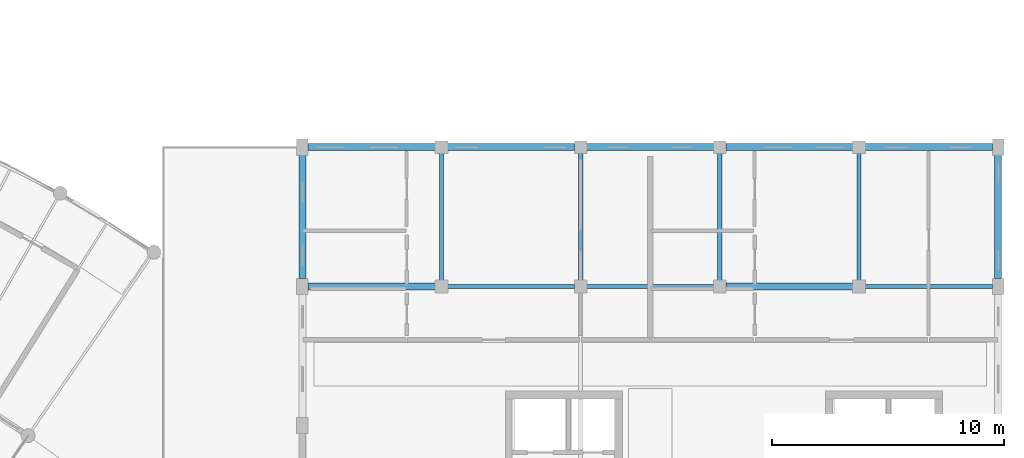
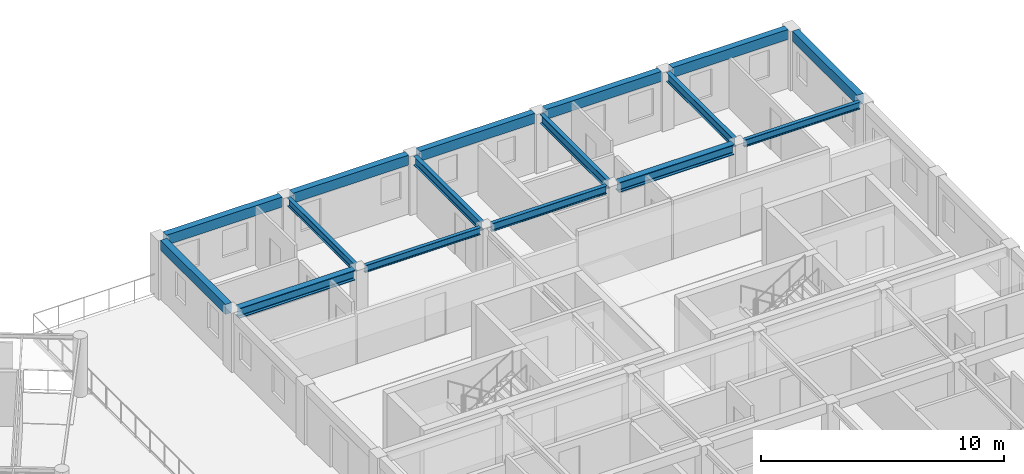
# One storey, part 41 of 101: 16 beams.
"""IFC4 building model written with IfcOpenShell, lengths in metres."""

from ifc_helpers import new_model, si_unit, direction, frame, origin, origin_2d, place, context, subcontext, project, spatial, rectangle, i_section, extrude, material, material_profile, profile_set, type_object, element, save


model = new_model("IFC4")

# Units and contexts
model_context = context("Model", 3, precision=1e-05, world=origin(), true_north=direction((0.0, 1.0)))
body_context = subcontext(model_context, "Body", "Model", "MODEL_VIEW")
ifc_project = project(units=[si_unit("LENGTHUNIT", "METRE"), si_unit("AREAUNIT", "SQUARE_METRE"), si_unit("VOLUMEUNIT", "CUBIC_METRE"), si_unit("PLANEANGLEUNIT", "RADIAN"), si_unit("MASSUNIT", "GRAM", prefix="KILO"), si_unit("POWERUNIT", "WATT"), si_unit("THERMODYNAMICTEMPERATUREUNIT", "KELVIN")], contexts=[model_context])

# Site, building, storey
site_placement = place(None, origin())
site = spatial("IfcSite", under=ifc_project, at=site_placement, CompositionType="ELEMENT")
building_placement = place(site_placement, origin())
building = spatial("IfcBuilding", under=site, at=building_placement, Name="Ruvembo Vaulted Housing Court", CompositionType="ELEMENT")
storey_placement = place(building_placement, frame((0.0, 0.0, 17.300048828125)))
storey = spatial("IfcBuildingStorey", under=building, at=storey_placement, Name="L05", CompositionType="ELEMENT", Elevation=17.300048828125)

# Beams
ifc_material_1 = material(Name="Steel S355J2", Category="steel")
ifc_material_profile_1 = material_profile(ifc_material_1, i_section(OverallWidth=0.300048828125, OverallDepth=0.5, WebThickness=0.014404296875, FlangeThickness=0.028076171875, FilletRadius=0.027099609375, at=origin_2d()), Name="HEB 320")
ifc_profile_set_1 = profile_set([ifc_material_profile_1], Name="Steel S355J2")
beam_type_1 = type_object("IfcBeamType", Name="BM-ST-HEB320", PredefinedType="BEAM", material=ifc_profile_set_1)
beam_1_placement = place(storey_placement, frame((156.235107421875, 96.0, 2.676025390625), z_axis=(1.0, 0.0, 0.0), x_axis=(0.0, 1.0, 0.0)))
element("IfcBeam", 1, at=beam_1_placement, inside=storey, type_object=beam_type_1, Name="L05 Grid Beam X #2393", PredefinedType="BEAM", context=body_context, shape_type="SweptSolid", body=[
    extrude(i_section(OverallWidth=0.300048828125, OverallDepth=0.5, WebThickness=0.014404296875, FlangeThickness=0.028076171875, FilletRadius=0.027099609375, at=origin_2d()), origin(), (0.0, 0.0, 1.0), 5.5048828125),
])
beam_2_placement = place(storey_placement, frame((174.260009765625, 96.0, 2.676025390625), z_axis=(1.0, 0.0, 0.0), x_axis=(0.0, 1.0, 0.0)))
element("IfcBeam", 2, at=beam_2_placement, inside=storey, type_object=beam_type_1, Name="L05 Grid Beam X #2396", PredefinedType="BEAM", context=body_context, shape_type="SweptSolid", body=[
    extrude(i_section(OverallWidth=0.300048828125, OverallDepth=0.5, WebThickness=0.014404296875, FlangeThickness=0.028076171875, FilletRadius=0.027099609375, at=origin_2d()), origin(), (0.0, 0.0, 1.0), 5.47998046875),
])
ifc_material_profile_2 = material_profile(ifc_material_1, i_section(OverallWidth=0.169921875, OverallDepth=0.360107421875, WebThickness=0.008056640625, FlangeThickness=0.0126953125, FilletRadius=0.01806640625, at=origin_2d()), Name="IPE 360")
ifc_profile_set_2 = profile_set([ifc_material_profile_2], Name="Steel S355J2")
beam_type_2 = type_object("IfcBeamType", Name="BM-ST-IPE360", PredefinedType="BEAM", material=ifc_profile_set_2)
beam_3_placement = place(storey_placement, frame((162.260009765625, 96.0, 2.745849609375), z_axis=(1.0, 0.0, 0.0), x_axis=(0.0, 1.0, 0.0)))
element("IfcBeam", 3, at=beam_3_placement, inside=storey, type_object=beam_type_2, Name="L05 Grid Beam X #2394", PredefinedType="BEAM", context=body_context, shape_type="SweptSolid", body=[
    extrude(i_section(OverallWidth=0.169921875, OverallDepth=0.360107421875, WebThickness=0.008056640625, FlangeThickness=0.0126953125, FilletRadius=0.01806640625, at=origin_2d()), origin(), (0.0, 0.0, 1.0), 5.47998046875),
])
beam_4_placement = place(storey_placement, frame((180.260009765625, 96.0, 2.745849609375), z_axis=(1.0, 0.0, 0.0), x_axis=(0.0, 1.0, 0.0)))
element("IfcBeam", 4, at=beam_4_placement, inside=storey, type_object=beam_type_2, Name="L05 Grid Beam X #2397", PredefinedType="BEAM", context=body_context, shape_type="SweptSolid", body=[
    extrude(i_section(OverallWidth=0.169921875, OverallDepth=0.360107421875, WebThickness=0.008056640625, FlangeThickness=0.0126953125, FilletRadius=0.01806640625, at=origin_2d()), origin(), (0.0, 0.0, 1.0), 5.5048828125),
])
ifc_material_profile_3 = material_profile(ifc_material_1, i_section(OverallWidth=0.179931640625, OverallDepth=0.39990234375, WebThickness=0.008544921875, FlangeThickness=0.013427734375, FilletRadius=0.02099609375, at=origin_2d()), Name="IPE 400")
ifc_profile_set_3 = profile_set([ifc_material_profile_3], Name="Steel S355J2")
beam_type_3 = type_object("IfcBeamType", Name="BM-ST-IPE400", PredefinedType="BEAM", material=ifc_profile_set_3)
for number, where, z_axis, x_axis, name in (
    (5, (168.260009765625, 96.0, 2.725830078125), (1.0, 0.0, 0.0), (0.0, 1.0, 0.0), "L05 Grid Beam X #2395"),
    (6, (162.0, 96.260009765625, 2.725830078125), (0.0, 1.0, 0.0), (-1.0, 0.0, 0.0), "L05 Grid Beam Y #2533"),
):
    element("IfcBeam", number, at=place(storey_placement, frame(where, z_axis=z_axis, x_axis=x_axis)), inside=storey, type_object=beam_type_3, Name=name, PredefinedType="BEAM", context=body_context, shape_type="SweptSolid", body=[
        extrude(i_section(OverallWidth=0.179931640625, OverallDepth=0.39990234375, WebThickness=0.008544921875, FlangeThickness=0.013427734375, FilletRadius=0.02099609375, at=origin_2d()), origin(), (0.0, 0.0, 1.0), 5.47998046875),
    ])
ifc_material_profile_4 = material_profile(ifc_material_1, i_section(OverallWidth=0.18994140625, OverallDepth=0.449951171875, WebThickness=0.009521484375, FlangeThickness=0.0146484375, FilletRadius=0.02099609375, at=origin_2d()), Name="IPE 450")
ifc_profile_set_4 = profile_set([ifc_material_profile_4], Name="Steel S355J2")
beam_type_4 = type_object("IfcBeamType", Name="BM-ST-IPE450", PredefinedType="BEAM", material=ifc_profile_set_4)
for number, where, z_axis, x_axis, name in (
    (7, (168.0, 96.260009765625, 2.700927734375), (0.0, 1.0, 0.0), (-1.0, 0.0, 0.0), "L05 Grid Beam Y #2537"),
    (8, (174.0, 96.260009765625, 2.700927734375), (0.0, 1.0, 0.0), (-1.0, 0.0, 0.0), "L05 Grid Beam Y #2540"),
    (9, (180.0, 96.260009765625, 2.700927734375), (0.0, 1.0, 0.0), (-1.0, 0.0, 0.0), "L05 Grid Beam Y #2543"),
):
    element("IfcBeam", number, at=place(storey_placement, frame(where, z_axis=z_axis, x_axis=x_axis)), inside=storey, type_object=beam_type_4, Name=name, PredefinedType="BEAM", context=body_context, shape_type="SweptSolid", body=[
        extrude(i_section(OverallWidth=0.18994140625, OverallDepth=0.449951171875, WebThickness=0.009521484375, FlangeThickness=0.0146484375, FilletRadius=0.02099609375, at=origin_2d()), origin(), (0.0, 0.0, 1.0), 5.47998046875),
    ])
ifc_material_2 = material(Name="Concrete C35/45", Category="concrete")
ifc_material_profile_5 = material_profile(ifc_material_2, rectangle(XDim=0.300048828125, YDim=0.5, at=origin_2d()), Name="RC 300x500")
ifc_profile_set_5 = profile_set([ifc_material_profile_5], Name="Concrete C35/45")
beam_type_5 = type_object("IfcBeamType", Name="SP-RC-300x500", PredefinedType="SPANDREL", material=ifc_profile_set_5)
beam_5_placement = place(storey_placement, frame((156.235107421875, 102.0, 2.71484375), z_axis=(1.0, 0.0, 0.0), x_axis=(0.0, 1.0, 0.0)))
element("IfcBeam", 10, at=beam_5_placement, inside=storey, type_object=beam_type_5, Name="L05 Grid Beam X #2404", PredefinedType="SPANDREL", context=body_context, shape_type="SweptSolid", body=[
    extrude(rectangle(XDim=0.300048828125, YDim=0.5, at=origin_2d()), origin(), (0.0, 0.0, 1.0), 5.5048828125),
])
for number, where, z_axis, x_axis, name in (
    (11, (162.260009765625, 102.0, 2.71484375), (1.0, 0.0, 0.0), (0.0, 1.0, 0.0), "L05 Grid Beam X #2405"),
    (12, (168.260009765625, 102.0, 2.71484375), (1.0, 0.0, 0.0), (0.0, 1.0, 0.0), "L05 Grid Beam X #2406"),
    (13, (174.260009765625, 102.0, 2.71484375), (1.0, 0.0, 0.0), (0.0, 1.0, 0.0), "L05 Grid Beam X #2407"),
):
    element("IfcBeam", number, at=place(storey_placement, frame(where, z_axis=z_axis, x_axis=x_axis)), inside=storey, type_object=beam_type_5, Name=name, PredefinedType="SPANDREL", context=body_context, shape_type="SweptSolid", body=[
        extrude(rectangle(XDim=0.300048828125, YDim=0.5, at=origin_2d()), origin(), (0.0, 0.0, 1.0), 5.47998046875),
    ])
beam_6_placement = place(storey_placement, frame((180.260009765625, 102.0, 2.71484375), z_axis=(1.0, 0.0, 0.0), x_axis=(0.0, 1.0, 0.0)))
element("IfcBeam", 14, at=beam_6_placement, inside=storey, type_object=beam_type_5, Name="L05 Grid Beam X #2408", PredefinedType="SPANDREL", context=body_context, shape_type="SweptSolid", body=[
    extrude(rectangle(XDim=0.300048828125, YDim=0.5, at=origin_2d()), origin(), (0.0, 0.0, 1.0), 5.5048828125),
])
for number, where, z_axis, x_axis, name in (
    (15, (156.0, 96.3349609375, 2.71484375), (0.0, 1.0, 0.0), (-1.0, 0.0, 0.0), "L05 Grid Beam Y #2530"),
    (16, (186.0, 96.3349609375, 2.71484375), (0.0, 1.0, 0.0), (-1.0, 0.0, 0.0), "L05 Grid Beam Y #2548"),
):
    element("IfcBeam", number, at=place(storey_placement, frame(where, z_axis=z_axis, x_axis=x_axis)), inside=storey, type_object=beam_type_5, Name=name, PredefinedType="SPANDREL", context=body_context, shape_type="SweptSolid", body=[
        extrude(rectangle(XDim=0.300048828125, YDim=0.5, at=origin_2d()), origin(), (0.0, 0.0, 1.0), 5.330078125),
    ])

save(model, "model.ifc")
